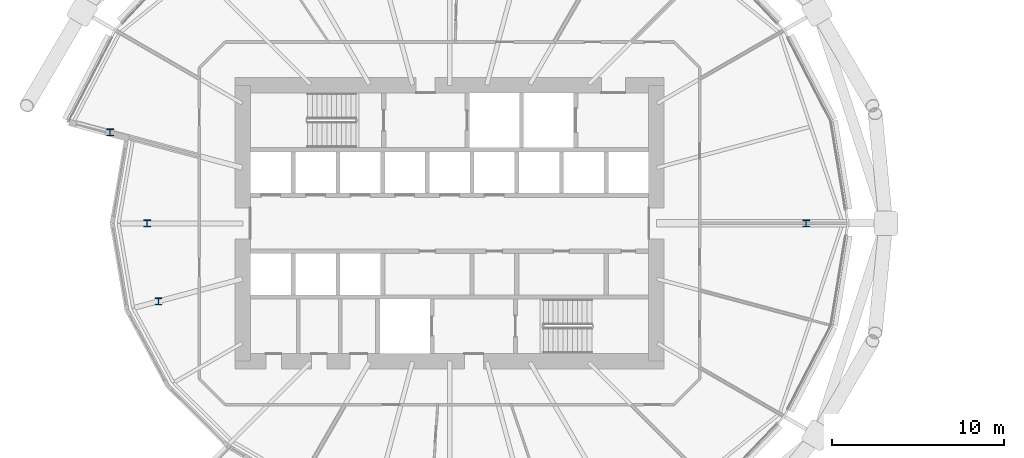
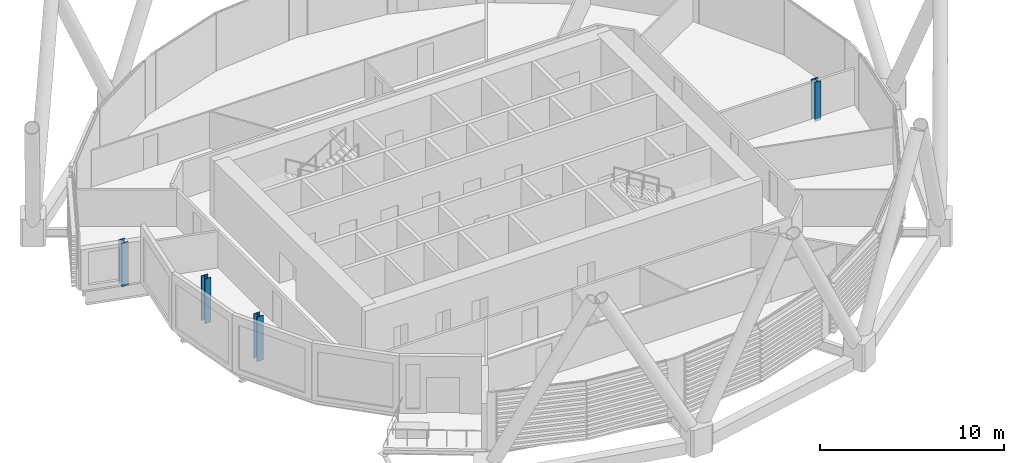
# One storey, part 1 of 40: 4 columns.
"""IFC4 building model written with IfcOpenShell, lengths in metres."""

from ifc_helpers import new_model, si_unit, direction, frame, origin, origin_2d, place, context, subcontext, project, spatial, i_section, extrude, material, material_profile, profile_set, type_object, element, save


model = new_model("IFC4")

# Units and contexts
model_context = context("Model", 3, precision=1e-05, world=origin(), true_north=direction((0.0, 1.0)))
body_context = subcontext(model_context, "Body", "Model", "MODEL_VIEW")
ifc_project = project(units=[si_unit("LENGTHUNIT", "METRE"), si_unit("AREAUNIT", "SQUARE_METRE"), si_unit("VOLUMEUNIT", "CUBIC_METRE"), si_unit("PLANEANGLEUNIT", "RADIAN"), si_unit("MASSUNIT", "GRAM", prefix="KILO")], contexts=[model_context])

# Site, building, storey
site_placement = place(None, origin())
site = spatial("IfcSite", under=ifc_project, at=site_placement, CompositionType="ELEMENT")
building_placement = place(site_placement, origin())
building = spatial("IfcBuilding", under=site, at=building_placement, Name="Rimbun Link Towers", CompositionType="ELEMENT")
storey_placement = place(building_placement, frame((0.0, 0.0, 52.800048828125)))
storey = spatial("IfcBuildingStorey", under=building, at=storey_placement, Name="L12", CompositionType="ELEMENT", Elevation=52.800048828125)

# Columns
ifc_material = material(Name="Steel S355J2", Category="steel")
ifc_material_profile = material_profile(ifc_material, i_section(OverallWidth=0.39892578125, OverallDepth=0.3935546875, WebThickness=0.022705078125, FlangeThickness=0.03662109375, at=origin_2d()), Name="UC 356x406x287")
ifc_profile_set = profile_set([ifc_material_profile], Name="Steel S355J2")
column_type = type_object("IfcColumnType", Name="UC 356x406x287", PredefinedType="COLUMN", material=ifc_profile_set)
column_1_placement = place(storey_placement, frame((-11.057373046875, 0.0, -0.16015625), z_axis=(0.0, 0.0, 1.0), x_axis=(1.0, 0.0, 0.0)))
element("IfcColumn", 1, at=column_1_placement, inside=storey, type_object=column_type, Name="Crease post T1 L12 00", PredefinedType="COLUMN", context=body_context, shape_type="SweptSolid", body=[
    extrude(i_section(OverallWidth=0.39892578125, OverallDepth=0.3935546875, WebThickness=0.022705078125, FlangeThickness=0.03662109375, at=origin_2d()), origin(), (0.0, 0.0, 1.0), 2.60009765625),
])
column_2_placement = place(storey_placement, frame((-51.45849609375, 5.281005859375, -0.16015625), z_axis=(0.0, 0.0, 1.0), x_axis=(1.0, 0.0, 0.0)))
element("IfcColumn", 2, at=column_2_placement, inside=storey, type_object=column_type, Name="Crease post T1 L12 11", PredefinedType="COLUMN", context=body_context, shape_type="SweptSolid", body=[
    extrude(i_section(OverallWidth=0.39892578125, OverallDepth=0.3935546875, WebThickness=0.022705078125, FlangeThickness=0.03662109375, at=origin_2d()), origin(), (0.0, 0.0, 1.0), 2.881591796875),
])
for number, where, z_axis, x_axis, name in (
    (3, (-49.312255859375, 0.0, -0.16015625), (0.0, 0.0, 1.0), (1.0, 0.0, 0.0), "Crease post T1 L12 12"),
    (4, (-48.650390625, -4.5283203125, -0.16015625), (0.0, 0.0, 1.0), (1.0, 0.0, 0.0), "Crease post T1 L12 13"),
):
    element("IfcColumn", number, at=place(storey_placement, frame(where, z_axis=z_axis, x_axis=x_axis)), inside=storey, type_object=column_type, Name=name, PredefinedType="COLUMN", context=body_context, shape_type="SweptSolid", body=[
        extrude(i_section(OverallWidth=0.39892578125, OverallDepth=0.3935546875, WebThickness=0.022705078125, FlangeThickness=0.03662109375, at=origin_2d()), origin(), (0.0, 0.0, 1.0), 2.95947265625),
    ])

save(model, "model.ifc")
